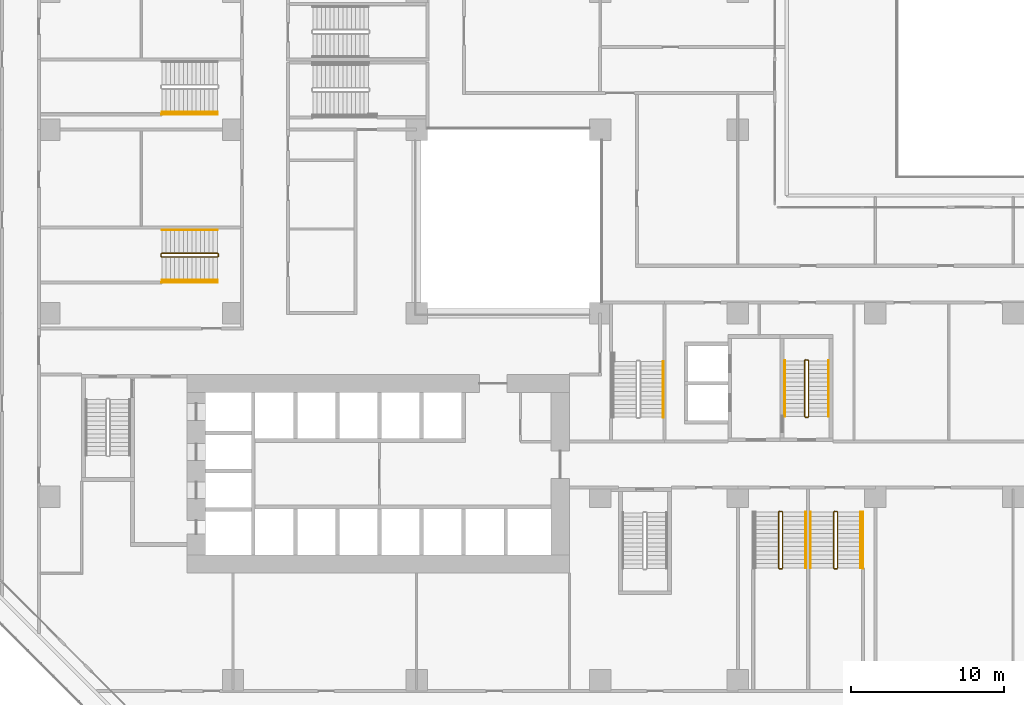
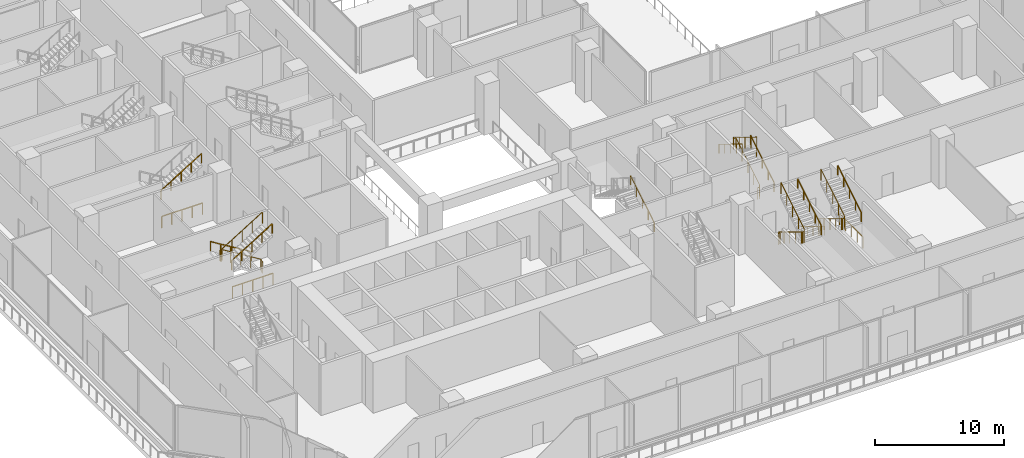
# One storey, part 22 of 25: 16 railings.
"""IFC4 building model written with IfcOpenShell, lengths in metres."""

from ifc_helpers import new_model, si_unit, direction, frame, origin, origin_2d, place, context, subcontext, project, spatial, rectangle, extrude, material, type_object, element, save


model = new_model("IFC4")

# Units and contexts
model_context = context("Model", 3, precision=1e-05, world=origin(), true_north=direction((0.0, 1.0)))
body_context = subcontext(model_context, "Body", "Model", "MODEL_VIEW")
ifc_project = project(units=[si_unit("LENGTHUNIT", "METRE"), si_unit("AREAUNIT", "SQUARE_METRE"), si_unit("VOLUMEUNIT", "CUBIC_METRE"), si_unit("PLANEANGLEUNIT", "RADIAN"), si_unit("MASSUNIT", "GRAM", prefix="KILO")], contexts=[model_context])

# Site, building, storey
site_placement = place(None, origin())
site = spatial("IfcSite", under=ifc_project, at=site_placement, CompositionType="ELEMENT")
building_placement = place(site_placement, origin())
building = spatial("IfcBuilding", under=site, at=building_placement, Name="Chenar Terraces", CompositionType="ELEMENT")
storey_placement = place(building_placement, frame((0.0, 0.0, 21.60009765625)))
storey = spatial("IfcBuildingStorey", under=building, at=storey_placement, Name="L04", CompositionType="ELEMENT", Elevation=21.60009765625)

# Railings
ifc_material_1 = material(Name="Powder-coated steel", Category="steel")
railing_type_1 = type_object("IfcRailingType", Name="Stair guard 1100", PredefinedType="GUARDRAIL", material=ifc_material_1)
railing_1_placement = place(storey_placement, frame((49.375, 17.25, 4.7998046875)))
element("IfcRailing", 1, at=railing_1_placement, inside=storey, type_object=railing_type_1, Name="L04 ST3 stair guard 1", PredefinedType="GUARDRAIL", context=body_context, shape_type="SweptSolid", body=[
    extrude(rectangle(XDim=0.048095703125, YDim=0.048095703125, at=origin_2d()), frame((0.0, 0.0, 1.076171875), z_axis=(0.0, 0.852850264322, -0.5221555579), x_axis=(-1.0, 0.0, 0.0)), (0.0, 0.0, 1.0), 4.267822265625),
    extrude(rectangle(XDim=0.048095703125, YDim=0.048095703125, at=origin_2d()), frame((0.0, 3.639892578125, -1.15234375), z_axis=(0.269911200495, 0.269911200495, -0.924281281696), x_axis=(-0.707106781187, 0.707106781187, 0.0)), (0.0, 0.0, 1.0), 0.185546875),
    extrude(rectangle(XDim=0.048095703125, YDim=0.048095703125, at=origin_2d()), frame((0.050048828125, 3.68994140625, -1.32373046875), z_axis=(1.0, 0.0, 0.0), x_axis=(0.0, 1.0, 0.0)), (0.0, 0.0, 1.0), 0.14990234375),
    extrude(rectangle(XDim=0.048095703125, YDim=0.048095703125, at=origin_2d()), frame((0.199951171875, 3.68994140625, -1.32373046875), z_axis=(0.707106781187, -0.707106781187, 0.0), x_axis=(0.707106781187, 0.707106781187, 0.0)), (0.0, 0.0, 1.0), 0.07080078125),
    extrude(rectangle(XDim=0.048095703125, YDim=0.048095703125, at=origin_2d()), frame((0.25, 3.639892578125, -1.32373046875), z_axis=(0.0, -0.852850264322, -0.5221555579), x_axis=(1.0, 0.0, 0.0)), (0.0, 0.0, 1.0), 4.267822265625),
    extrude(rectangle(XDim=0.048095703125, YDim=0.048095703125, at=origin_2d()), frame((0.25, 0.0, -3.55224609375), z_axis=(-0.269911200495, -0.269911200495, -0.924281281696), x_axis=(0.707106781187, -0.707106781187, 0.0)), (0.0, 0.0, 1.0), 0.185546875),
    extrude(rectangle(XDim=0.048095703125, YDim=0.048095703125, at=origin_2d()), frame((0.199951171875, -0.050048828125, -3.7236328125), z_axis=(-1.0, 0.0, 0.0), x_axis=(0.0, -1.0, 0.0)), (0.0, 0.0, 1.0), 0.14990234375),
    extrude(rectangle(XDim=0.0419921875, YDim=0.0419921875, at=origin_2d()), origin(), (0.0, 0.0, 1.0), 1.052001953125),
    extrude(rectangle(XDim=0.0419921875, YDim=0.0419921875, at=origin_2d()), frame((0.0, 0.909912109375, -0.55712890625)), (0.0, 0.0, 1.0), 1.052001953125),
    extrude(rectangle(XDim=0.0419921875, YDim=0.0419921875, at=origin_2d()), frame((0.0, 1.81982421875, -1.1142578125)), (0.0, 0.0, 1.0), 1.052001953125),
    extrude(rectangle(XDim=0.0419921875, YDim=0.0419921875, at=origin_2d()), frame((0.0, 2.72998046875, -1.67138671875)), (0.0, 0.0, 1.0), 1.052001953125),
    extrude(rectangle(XDim=0.0419921875, YDim=0.0419921875, at=origin_2d()), frame((0.0, 3.639892578125, -2.228515625)), (0.0, 0.0, 1.0), 1.052001953125),
    extrude(rectangle(XDim=0.0419921875, YDim=0.0419921875, at=origin_2d()), frame((0.050048828125, 3.68994140625, -2.39990234375)), (0.0, 0.0, 1.0), 1.052001953125),
    extrude(rectangle(XDim=0.0419921875, YDim=0.0419921875, at=origin_2d()), frame((0.199951171875, 3.68994140625, -2.39990234375)), (0.0, 0.0, 1.0), 1.052001953125),
    extrude(rectangle(XDim=0.0419921875, YDim=0.0419921875, at=origin_2d()), frame((0.25, 3.639892578125, -2.39990234375)), (0.0, 0.0, 1.0), 1.052001953125),
    extrude(rectangle(XDim=0.0419921875, YDim=0.0419921875, at=origin_2d()), frame((0.25, 2.72998046875, -2.95703125)), (0.0, 0.0, 1.0), 1.052001953125),
    extrude(rectangle(XDim=0.0419921875, YDim=0.0419921875, at=origin_2d()), frame((0.25, 1.81982421875, -3.51416015625)), (0.0, 0.0, 1.0), 1.052001953125),
    extrude(rectangle(XDim=0.0419921875, YDim=0.0419921875, at=origin_2d()), frame((0.25, 0.909912109375, -4.0712890625)), (0.0, 0.0, 1.0), 1.052001953125),
    extrude(rectangle(XDim=0.0419921875, YDim=0.0419921875, at=origin_2d()), frame((0.25, 0.0, -4.62841796875)), (0.0, 0.0, 1.0), 1.052001953125),
    extrude(rectangle(XDim=0.0419921875, YDim=0.0419921875, at=origin_2d()), frame((0.199951171875, -0.050048828125, -4.7998046875)), (0.0, 0.0, 1.0), 1.052001953125),
    extrude(rectangle(XDim=0.0419921875, YDim=0.0419921875, at=origin_2d()), frame((0.050048828125, -0.050048828125, -4.7998046875)), (0.0, 0.0, 1.0), 1.052001953125),
])
railing_2_placement = place(storey_placement, frame((51.52490234375, 10.985107421875, 4.7998046875)))
element("IfcRailing", 2, at=railing_2_placement, inside=storey, type_object=railing_type_1, Name="L04 PS2 stair guard 1", PredefinedType="GUARDRAIL", context=body_context, shape_type="SweptSolid", body=[
    extrude(rectangle(XDim=0.048095703125, YDim=0.048095703125, at=origin_2d()), frame((0.0, 0.0, 1.076171875), z_axis=(0.0, -0.852865859571, -0.52213008492), x_axis=(1.0, 0.0, 0.0)), (0.0, 0.0, 1.0), 4.26806640625),
    extrude(rectangle(XDim=0.048095703125, YDim=0.048095703125, at=origin_2d()), frame((0.0, -3.64013671875, -1.15234375), z_axis=(-0.268689830376, -0.270006937388, -0.924609122178), x_axis=(0.708833529934, -0.705375805398, 0.0)), (0.0, 0.0, 1.0), 0.185302734375),
    extrude(rectangle(XDim=0.048095703125, YDim=0.048095703125, at=origin_2d()), frame((-0.0498046875, -3.690185546875, -1.32373046875), z_axis=(-1.0, 0.0, 0.0), x_axis=(0.0, -1.0, 0.0)), (0.0, 0.0, 1.0), 0.150146484375),
    extrude(rectangle(XDim=0.048095703125, YDim=0.048095703125, at=origin_2d()), frame((-0.199951171875, -3.690185546875, -1.32373046875), z_axis=(-0.707106781187, 0.707106781187, 0.0), x_axis=(-0.707106781187, -0.707106781187, 0.0)), (0.0, 0.0, 1.0), 0.07080078125),
    extrude(rectangle(XDim=0.048095703125, YDim=0.048095703125, at=origin_2d()), frame((-0.25, -3.64013671875, -1.32373046875), z_axis=(0.0, 0.852865859571, -0.52213008492), x_axis=(-1.0, 0.0, 0.0)), (0.0, 0.0, 1.0), 4.26806640625),
    extrude(rectangle(XDim=0.048095703125, YDim=0.048095703125, at=origin_2d()), frame((-0.25, 0.0, -3.55224609375), z_axis=(0.270006937388, 0.268689830376, -0.924609122178), x_axis=(-0.705375805398, 0.708833529934, 0.0)), (0.0, 0.0, 1.0), 0.185302734375),
    extrude(rectangle(XDim=0.048095703125, YDim=0.048095703125, at=origin_2d()), frame((-0.199951171875, 0.0498046875, -3.7236328125), z_axis=(1.0, 0.0, 0.0), x_axis=(0.0, 1.0, 0.0)), (0.0, 0.0, 1.0), 0.150146484375),
    extrude(rectangle(XDim=0.0419921875, YDim=0.0419921875, at=origin_2d()), origin(), (0.0, 0.0, 1.0), 1.052001953125),
    extrude(rectangle(XDim=0.0419921875, YDim=0.0419921875, at=origin_2d()), frame((0.0, -0.91015625, -0.55712890625)), (0.0, 0.0, 1.0), 1.052001953125),
    extrude(rectangle(XDim=0.0419921875, YDim=0.0419921875, at=origin_2d()), frame((0.0, -1.820068359375, -1.1142578125)), (0.0, 0.0, 1.0), 1.052001953125),
    extrude(rectangle(XDim=0.0419921875, YDim=0.0419921875, at=origin_2d()), frame((0.0, -2.72998046875, -1.67138671875)), (0.0, 0.0, 1.0), 1.052001953125),
    extrude(rectangle(XDim=0.0419921875, YDim=0.0419921875, at=origin_2d()), frame((0.0, -3.64013671875, -2.228515625)), (0.0, 0.0, 1.0), 1.052001953125),
    extrude(rectangle(XDim=0.0419921875, YDim=0.0419921875, at=origin_2d()), frame((-0.0498046875, -3.690185546875, -2.39990234375)), (0.0, 0.0, 1.0), 1.052001953125),
    extrude(rectangle(XDim=0.0419921875, YDim=0.0419921875, at=origin_2d()), frame((-0.199951171875, -3.690185546875, -2.39990234375)), (0.0, 0.0, 1.0), 1.052001953125),
    extrude(rectangle(XDim=0.0419921875, YDim=0.0419921875, at=origin_2d()), frame((-0.25, -3.64013671875, -2.39990234375)), (0.0, 0.0, 1.0), 1.052001953125),
    extrude(rectangle(XDim=0.0419921875, YDim=0.0419921875, at=origin_2d()), frame((-0.25, -2.72998046875, -2.95703125)), (0.0, 0.0, 1.0), 1.052001953125),
    extrude(rectangle(XDim=0.0419921875, YDim=0.0419921875, at=origin_2d()), frame((-0.25, -1.820068359375, -3.51416015625)), (0.0, 0.0, 1.0), 1.052001953125),
    extrude(rectangle(XDim=0.0419921875, YDim=0.0419921875, at=origin_2d()), frame((-0.25, -0.91015625, -4.0712890625)), (0.0, 0.0, 1.0), 1.052001953125),
    extrude(rectangle(XDim=0.0419921875, YDim=0.0419921875, at=origin_2d()), frame((-0.25, 0.0, -4.62841796875)), (0.0, 0.0, 1.0), 1.052001953125),
    extrude(rectangle(XDim=0.0419921875, YDim=0.0419921875, at=origin_2d()), frame((-0.199951171875, 0.0498046875, -4.7998046875)), (0.0, 0.0, 1.0), 1.052001953125),
    extrude(rectangle(XDim=0.0419921875, YDim=0.0419921875, at=origin_2d()), frame((-0.0498046875, 0.0498046875, -4.7998046875)), (0.0, 0.0, 1.0), 1.052001953125),
])
railing_3_placement = place(storey_placement, frame((10.985107421875, 27.675048828125, 4.7998046875)))
element("IfcRailing", 3, at=railing_3_placement, inside=storey, type_object=railing_type_1, Name="L04 PS5 stair guard 1", PredefinedType="GUARDRAIL", context=body_context, shape_type="SweptSolid", body=[
    extrude(rectangle(XDim=0.048095703125, YDim=0.048095703125, at=origin_2d()), frame((0.0, 0.0, 1.076171875), z_axis=(-0.852865859571, 0.0, -0.52213008492), x_axis=(0.0, -1.0, 0.0)), (0.0, 0.0, 1.0), 4.26806640625),
    extrude(rectangle(XDim=0.048095703125, YDim=0.048095703125, at=origin_2d()), frame((-3.64013671875, 0.0, -1.15234375), z_axis=(-0.269911200495, 0.269911200495, -0.924281281696), x_axis=(-0.707106781187, -0.707106781187, 0.0)), (0.0, 0.0, 1.0), 0.185546875),
    extrude(rectangle(XDim=0.048095703125, YDim=0.048095703125, at=origin_2d()), frame((-3.690185546875, 0.050048828125, -1.32373046875), z_axis=(0.0, 1.0, 0.0), x_axis=(-1.0, 0.0, 0.0)), (0.0, 0.0, 1.0), 0.14990234375),
    extrude(rectangle(XDim=0.048095703125, YDim=0.048095703125, at=origin_2d()), frame((-3.690185546875, 0.199951171875, -1.32373046875), z_axis=(0.707106781187, 0.707106781187, 0.0), x_axis=(-0.707106781187, 0.707106781187, 0.0)), (0.0, 0.0, 1.0), 0.07080078125),
    extrude(rectangle(XDim=0.048095703125, YDim=0.048095703125, at=origin_2d()), frame((-3.64013671875, 0.25, -1.32373046875), z_axis=(0.852865859571, 0.0, -0.52213008492), x_axis=(0.0, 1.0, 0.0)), (0.0, 0.0, 1.0), 4.26806640625),
    extrude(rectangle(XDim=0.048095703125, YDim=0.048095703125, at=origin_2d()), frame((0.0, 0.25, -3.55224609375), z_axis=(0.268689830376, -0.270006937388, -0.924609122178), x_axis=(0.708833529934, 0.705375805398, 0.0)), (0.0, 0.0, 1.0), 0.185302734375),
    extrude(rectangle(XDim=0.048095703125, YDim=0.048095703125, at=origin_2d()), frame((0.0498046875, 0.199951171875, -3.7236328125), z_axis=(0.0, -1.0, 0.0), x_axis=(1.0, 0.0, 0.0)), (0.0, 0.0, 1.0), 0.14990234375),
    extrude(rectangle(XDim=0.0419921875, YDim=0.0419921875, at=origin_2d()), origin(), (0.0, 0.0, 1.0), 1.052001953125),
    extrude(rectangle(XDim=0.0419921875, YDim=0.0419921875, at=origin_2d()), frame((-0.91015625, 0.0, -0.55712890625)), (0.0, 0.0, 1.0), 1.052001953125),
    extrude(rectangle(XDim=0.0419921875, YDim=0.0419921875, at=origin_2d()), frame((-1.820068359375, 0.0, -1.1142578125)), (0.0, 0.0, 1.0), 1.052001953125),
    extrude(rectangle(XDim=0.0419921875, YDim=0.0419921875, at=origin_2d()), frame((-2.72998046875, 0.0, -1.67138671875)), (0.0, 0.0, 1.0), 1.052001953125),
    extrude(rectangle(XDim=0.0419921875, YDim=0.0419921875, at=origin_2d()), frame((-3.64013671875, 0.0, -2.228515625)), (0.0, 0.0, 1.0), 1.052001953125),
    extrude(rectangle(XDim=0.0419921875, YDim=0.0419921875, at=origin_2d()), frame((-3.690185546875, 0.050048828125, -2.39990234375)), (0.0, 0.0, 1.0), 1.052001953125),
    extrude(rectangle(XDim=0.0419921875, YDim=0.0419921875, at=origin_2d()), frame((-3.690185546875, 0.199951171875, -2.39990234375)), (0.0, 0.0, 1.0), 1.052001953125),
    extrude(rectangle(XDim=0.0419921875, YDim=0.0419921875, at=origin_2d()), frame((-3.64013671875, 0.25, -2.39990234375)), (0.0, 0.0, 1.0), 1.052001953125),
    extrude(rectangle(XDim=0.0419921875, YDim=0.0419921875, at=origin_2d()), frame((-2.72998046875, 0.25, -2.95703125)), (0.0, 0.0, 1.0), 1.052001953125),
    extrude(rectangle(XDim=0.0419921875, YDim=0.0419921875, at=origin_2d()), frame((-1.820068359375, 0.25, -3.51416015625)), (0.0, 0.0, 1.0), 1.052001953125),
    extrude(rectangle(XDim=0.0419921875, YDim=0.0419921875, at=origin_2d()), frame((-0.91015625, 0.25, -4.0712890625)), (0.0, 0.0, 1.0), 1.052001953125),
    extrude(rectangle(XDim=0.0419921875, YDim=0.0419921875, at=origin_2d()), frame((0.0, 0.25, -4.62841796875)), (0.0, 0.0, 1.0), 1.052001953125),
    extrude(rectangle(XDim=0.0419921875, YDim=0.0419921875, at=origin_2d()), frame((0.0498046875, 0.199951171875, -4.7998046875)), (0.0, 0.0, 1.0), 1.052001953125),
    extrude(rectangle(XDim=0.0419921875, YDim=0.0419921875, at=origin_2d()), frame((0.0498046875, 0.050048828125, -4.7998046875)), (0.0, 0.0, 1.0), 1.052001953125),
])
railing_4_placement = place(storey_placement, frame((47.925048828125, 10.985107421875, 4.7998046875)))
element("IfcRailing", 4, at=railing_4_placement, inside=storey, type_object=railing_type_1, Name="L04 PS6 stair guard 1", PredefinedType="GUARDRAIL", context=body_context, shape_type="SweptSolid", body=[
    extrude(rectangle(XDim=0.048095703125, YDim=0.048095703125, at=origin_2d()), frame((0.0, 0.0, 1.076171875), z_axis=(0.0, -0.852865859571, -0.52213008492), x_axis=(1.0, 0.0, 0.0)), (0.0, 0.0, 1.0), 4.26806640625),
    extrude(rectangle(XDim=0.048095703125, YDim=0.048095703125, at=origin_2d()), frame((0.0, -3.64013671875, -1.15234375), z_axis=(-0.269911200495, -0.269911200495, -0.924281281696), x_axis=(0.707106781187, -0.707106781187, 0.0)), (0.0, 0.0, 1.0), 0.185546875),
    extrude(rectangle(XDim=0.048095703125, YDim=0.048095703125, at=origin_2d()), frame((-0.050048828125, -3.690185546875, -1.32373046875), z_axis=(-1.0, 0.0, 0.0), x_axis=(0.0, -1.0, 0.0)), (0.0, 0.0, 1.0), 0.14990234375),
    extrude(rectangle(XDim=0.048095703125, YDim=0.048095703125, at=origin_2d()), frame((-0.199951171875, -3.690185546875, -1.32373046875), z_axis=(-0.707106781187, 0.707106781187, 0.0), x_axis=(-0.707106781187, -0.707106781187, 0.0)), (0.0, 0.0, 1.0), 0.07080078125),
    extrude(rectangle(XDim=0.048095703125, YDim=0.048095703125, at=origin_2d()), frame((-0.25, -3.64013671875, -1.32373046875), z_axis=(0.0, 0.852865859571, -0.52213008492), x_axis=(-1.0, 0.0, 0.0)), (0.0, 0.0, 1.0), 4.26806640625),
    extrude(rectangle(XDim=0.048095703125, YDim=0.048095703125, at=origin_2d()), frame((-0.25, 0.0, -3.55224609375), z_axis=(0.270006937388, 0.268689830376, -0.924609122178), x_axis=(-0.705375805398, 0.708833529934, 0.0)), (0.0, 0.0, 1.0), 0.185302734375),
    extrude(rectangle(XDim=0.048095703125, YDim=0.048095703125, at=origin_2d()), frame((-0.199951171875, 0.0498046875, -3.7236328125), z_axis=(1.0, 0.0, 0.0), x_axis=(0.0, 1.0, 0.0)), (0.0, 0.0, 1.0), 0.14990234375),
    extrude(rectangle(XDim=0.0419921875, YDim=0.0419921875, at=origin_2d()), origin(), (0.0, 0.0, 1.0), 1.052001953125),
    extrude(rectangle(XDim=0.0419921875, YDim=0.0419921875, at=origin_2d()), frame((0.0, -0.91015625, -0.55712890625)), (0.0, 0.0, 1.0), 1.052001953125),
    extrude(rectangle(XDim=0.0419921875, YDim=0.0419921875, at=origin_2d()), frame((0.0, -1.820068359375, -1.1142578125)), (0.0, 0.0, 1.0), 1.052001953125),
    extrude(rectangle(XDim=0.0419921875, YDim=0.0419921875, at=origin_2d()), frame((0.0, -2.72998046875, -1.67138671875)), (0.0, 0.0, 1.0), 1.052001953125),
    extrude(rectangle(XDim=0.0419921875, YDim=0.0419921875, at=origin_2d()), frame((0.0, -3.64013671875, -2.228515625)), (0.0, 0.0, 1.0), 1.052001953125),
    extrude(rectangle(XDim=0.0419921875, YDim=0.0419921875, at=origin_2d()), frame((-0.050048828125, -3.690185546875, -2.39990234375)), (0.0, 0.0, 1.0), 1.052001953125),
    extrude(rectangle(XDim=0.0419921875, YDim=0.0419921875, at=origin_2d()), frame((-0.199951171875, -3.690185546875, -2.39990234375)), (0.0, 0.0, 1.0), 1.052001953125),
    extrude(rectangle(XDim=0.0419921875, YDim=0.0419921875, at=origin_2d()), frame((-0.25, -3.64013671875, -2.39990234375)), (0.0, 0.0, 1.0), 1.052001953125),
    extrude(rectangle(XDim=0.0419921875, YDim=0.0419921875, at=origin_2d()), frame((-0.25, -2.72998046875, -2.95703125)), (0.0, 0.0, 1.0), 1.052001953125),
    extrude(rectangle(XDim=0.0419921875, YDim=0.0419921875, at=origin_2d()), frame((-0.25, -1.820068359375, -3.51416015625)), (0.0, 0.0, 1.0), 1.052001953125),
    extrude(rectangle(XDim=0.0419921875, YDim=0.0419921875, at=origin_2d()), frame((-0.25, -0.91015625, -4.0712890625)), (0.0, 0.0, 1.0), 1.052001953125),
    extrude(rectangle(XDim=0.0419921875, YDim=0.0419921875, at=origin_2d()), frame((-0.25, 0.0, -4.62841796875)), (0.0, 0.0, 1.0), 1.052001953125),
    extrude(rectangle(XDim=0.0419921875, YDim=0.0419921875, at=origin_2d()), frame((-0.199951171875, 0.0498046875, -4.7998046875)), (0.0, 0.0, 1.0), 1.052001953125),
    extrude(rectangle(XDim=0.0419921875, YDim=0.0419921875, at=origin_2d()), frame((-0.050048828125, 0.0498046875, -4.7998046875)), (0.0, 0.0, 1.0), 1.052001953125),
])
railing_5_placement = place(storey_placement, frame((53.18994140625, 7.32421875, 0.0)))
element("IfcRailing", 5, at=railing_5_placement, inside=storey, type_object=railing_type_1, Name="L04 PS2 stair guard 101", PredefinedType="GUARDRAIL", context=body_context, shape_type="SweptSolid", body=[
    extrude(rectangle(XDim=0.048095703125, YDim=0.048095703125, at=origin_2d()), frame((0.0, 0.0, 1.076171875), z_axis=(0.0, 1.0, 0.0), x_axis=(-1.0, 0.0, 0.0)), (0.0, 0.0, 1.0), 3.660888671875),
    extrude(rectangle(XDim=0.0419921875, YDim=0.0419921875, at=origin_2d()), origin(), (0.0, 0.0, 1.0), 1.052001953125),
    extrude(rectangle(XDim=0.0419921875, YDim=0.0419921875, at=origin_2d()), frame((0.0, 0.915283203125, 0.0)), (0.0, 0.0, 1.0), 1.052001953125),
    extrude(rectangle(XDim=0.0419921875, YDim=0.0419921875, at=origin_2d()), frame((0.0, 1.83056640625, 0.0)), (0.0, 0.0, 1.0), 1.052001953125),
    extrude(rectangle(XDim=0.0419921875, YDim=0.0419921875, at=origin_2d()), frame((0.0, 2.74560546875, 0.0)), (0.0, 0.0, 1.0), 1.052001953125),
    extrude(rectangle(XDim=0.0419921875, YDim=0.0419921875, at=origin_2d()), frame((0.0, 3.660888671875, 0.0)), (0.0, 0.0, 1.0), 1.052001953125),
])
for number, where, name in (
    (6, (7.32421875, 26.010009765625, 0.0), "L04 PS5 stair guard 101"),
    (7, (7.32421875, 37.010009765625, 0.0), "L04 PS9 stair guard 101"),
):
    element("IfcRailing", number, at=place(storey_placement, frame(where)), inside=storey, type_object=railing_type_1, Name=name, PredefinedType="GUARDRAIL", context=body_context, shape_type="SweptSolid", body=[
        extrude(rectangle(XDim=0.048095703125, YDim=0.048095703125, at=origin_2d()), frame((0.0, 0.0, 1.076171875), z_axis=(1.0, 0.0, 0.0), x_axis=(0.0, 1.0, 0.0)), (0.0, 0.0, 1.0), 3.660888671875),
        extrude(rectangle(XDim=0.0419921875, YDim=0.0419921875, at=origin_2d()), origin(), (0.0, 0.0, 1.0), 1.052001953125),
        extrude(rectangle(XDim=0.0419921875, YDim=0.0419921875, at=origin_2d()), frame((0.915283203125, 0.0, 0.0)), (0.0, 0.0, 1.0), 1.052001953125),
        extrude(rectangle(XDim=0.0419921875, YDim=0.0419921875, at=origin_2d()), frame((1.83056640625, 0.0, 0.0)), (0.0, 0.0, 1.0), 1.052001953125),
        extrude(rectangle(XDim=0.0419921875, YDim=0.0419921875, at=origin_2d()), frame((2.74560546875, 0.0, 0.0)), (0.0, 0.0, 1.0), 1.052001953125),
        extrude(rectangle(XDim=0.0419921875, YDim=0.0419921875, at=origin_2d()), frame((3.660888671875, 0.0, 0.0)), (0.0, 0.0, 1.0), 1.052001953125),
    ])
ifc_material_2 = material(Name="Powder-coated steel", Category="steel")
railing_type_2 = type_object("IfcRailingType", Name="Stair handrail 900", PredefinedType="HANDRAIL", material=ifc_material_2)
railing_6_placement = place(storey_placement, frame((50.925048828125, 17.25, 0.17138671875)))
element("IfcRailing", 8, at=railing_6_placement, inside=storey, type_object=railing_type_2, Name="L04 ST3 stair handrail 1", PredefinedType="HANDRAIL", context=body_context, shape_type="SweptSolid", body=[
    extrude(rectangle(XDim=0.048095703125, YDim=0.048095703125, at=origin_2d()), frame((0.0, 0.0, 0.8759765625), z_axis=(0.0, 0.852850264322, 0.5221555579), x_axis=(-1.0, 0.0, 0.0)), (0.0, 0.0, 1.0), 4.267822265625),
    extrude(rectangle(XDim=0.0419921875, YDim=0.0419921875, at=origin_2d()), origin(), (0.0, 0.0, 1.0), 0.851806640625),
    extrude(rectangle(XDim=0.0419921875, YDim=0.0419921875, at=origin_2d()), frame((0.0, 0.909912109375, 0.55712890625)), (0.0, 0.0, 1.0), 0.851806640625),
    extrude(rectangle(XDim=0.0419921875, YDim=0.0419921875, at=origin_2d()), frame((0.0, 1.81982421875, 1.1142578125)), (0.0, 0.0, 1.0), 0.851806640625),
    extrude(rectangle(XDim=0.0419921875, YDim=0.0419921875, at=origin_2d()), frame((0.0, 2.72998046875, 1.67138671875)), (0.0, 0.0, 1.0), 0.851806640625),
    extrude(rectangle(XDim=0.0419921875, YDim=0.0419921875, at=origin_2d()), frame((0.0, 3.639892578125, 2.228515625)), (0.0, 0.0, 1.0), 0.851806640625),
])
railing_7_placement = place(storey_placement, frame((48.074951171875, 20.889892578125, 2.5712890625)))
element("IfcRailing", 9, at=railing_7_placement, inside=storey, type_object=railing_type_2, Name="L04 ST3 stair handrail 2", PredefinedType="HANDRAIL", context=body_context, shape_type="SweptSolid", body=[
    extrude(rectangle(XDim=0.048095703125, YDim=0.048095703125, at=origin_2d()), frame((0.0, 0.0, 0.8759765625), z_axis=(0.0, -0.852850264322, 0.5221555579), x_axis=(1.0, 0.0, 0.0)), (0.0, 0.0, 1.0), 4.267822265625),
    extrude(rectangle(XDim=0.0419921875, YDim=0.0419921875, at=origin_2d()), origin(), (0.0, 0.0, 1.0), 0.851806640625),
    extrude(rectangle(XDim=0.0419921875, YDim=0.0419921875, at=origin_2d()), frame((0.0, -0.909912109375, 0.55712890625)), (0.0, 0.0, 1.0), 0.851806640625),
    extrude(rectangle(XDim=0.0419921875, YDim=0.0419921875, at=origin_2d()), frame((0.0, -1.81982421875, 1.1142578125)), (0.0, 0.0, 1.0), 0.851806640625),
    extrude(rectangle(XDim=0.0419921875, YDim=0.0419921875, at=origin_2d()), frame((0.0, -2.72998046875, 1.67138671875)), (0.0, 0.0, 1.0), 0.851806640625),
    extrude(rectangle(XDim=0.0419921875, YDim=0.0419921875, at=origin_2d()), frame((0.0, -3.639892578125, 2.228515625)), (0.0, 0.0, 1.0), 0.851806640625),
])
railing_8_placement = place(storey_placement, frame((40.125, 17.199951171875, 0.17138671875)))
element("IfcRailing", 10, at=railing_8_placement, inside=storey, type_object=railing_type_2, Name="L04 PS1 stair handrail 1", PredefinedType="HANDRAIL", context=body_context, shape_type="SweptSolid", body=[
    extrude(rectangle(XDim=0.048095703125, YDim=0.048095703125, at=origin_2d()), frame((0.0, 0.0, 0.8759765625), z_axis=(0.0, 0.852865859571, 0.52213008492), x_axis=(-1.0, 0.0, 0.0)), (0.0, 0.0, 1.0), 4.26806640625),
    extrude(rectangle(XDim=0.0419921875, YDim=0.0419921875, at=origin_2d()), origin(), (0.0, 0.0, 1.0), 0.851806640625),
    extrude(rectangle(XDim=0.0419921875, YDim=0.0419921875, at=origin_2d()), frame((0.0, 0.91015625, 0.55712890625)), (0.0, 0.0, 1.0), 0.851806640625),
    extrude(rectangle(XDim=0.0419921875, YDim=0.0419921875, at=origin_2d()), frame((0.0, 1.820068359375, 1.1142578125)), (0.0, 0.0, 1.0), 0.851806640625),
    extrude(rectangle(XDim=0.0419921875, YDim=0.0419921875, at=origin_2d()), frame((0.0, 2.72998046875, 1.67138671875)), (0.0, 0.0, 1.0), 0.851806640625),
    extrude(rectangle(XDim=0.0419921875, YDim=0.0419921875, at=origin_2d()), frame((0.0, 3.64013671875, 2.228515625)), (0.0, 0.0, 1.0), 0.851806640625),
])
railing_9_placement = place(storey_placement, frame((49.760009765625, 10.985107421875, 0.17138671875)))
element("IfcRailing", 11, at=railing_9_placement, inside=storey, type_object=railing_type_2, Name="L04 PS2 stair handrail 1", PredefinedType="HANDRAIL", context=body_context, shape_type="SweptSolid", body=[
    extrude(rectangle(XDim=0.048095703125, YDim=0.048095703125, at=origin_2d()), frame((0.0, 0.0, 0.8759765625), z_axis=(0.0, -0.852865859571, 0.52213008492), x_axis=(1.0, 0.0, 0.0)), (0.0, 0.0, 1.0), 4.26806640625),
    extrude(rectangle(XDim=0.0419921875, YDim=0.0419921875, at=origin_2d()), origin(), (0.0, 0.0, 1.0), 0.851806640625),
    extrude(rectangle(XDim=0.0419921875, YDim=0.0419921875, at=origin_2d()), frame((0.0, -0.91015625, 0.55712890625)), (0.0, 0.0, 1.0), 0.851806640625),
    extrude(rectangle(XDim=0.0419921875, YDim=0.0419921875, at=origin_2d()), frame((0.0, -1.820068359375, 1.1142578125)), (0.0, 0.0, 1.0), 0.851806640625),
    extrude(rectangle(XDim=0.0419921875, YDim=0.0419921875, at=origin_2d()), frame((0.0, -2.72998046875, 1.67138671875)), (0.0, 0.0, 1.0), 0.851806640625),
    extrude(rectangle(XDim=0.0419921875, YDim=0.0419921875, at=origin_2d()), frame((0.0, -3.64013671875, 2.228515625)), (0.0, 0.0, 1.0), 0.851806640625),
])
railing_10_placement = place(storey_placement, frame((53.0400390625, 7.344970703125, 2.5712890625)))
element("IfcRailing", 12, at=railing_10_placement, inside=storey, type_object=railing_type_2, Name="L04 PS2 stair handrail 2", PredefinedType="HANDRAIL", context=body_context, shape_type="SweptSolid", body=[
    extrude(rectangle(XDim=0.048095703125, YDim=0.048095703125, at=origin_2d()), frame((0.0, 0.0, 0.8759765625), z_axis=(0.0, 0.852865859571, 0.52213008492), x_axis=(-1.0, 0.0, 0.0)), (0.0, 0.0, 1.0), 4.26806640625),
    extrude(rectangle(XDim=0.0419921875, YDim=0.0419921875, at=origin_2d()), origin(), (0.0, 0.0, 1.0), 0.851806640625),
    extrude(rectangle(XDim=0.0419921875, YDim=0.0419921875, at=origin_2d()), frame((0.0, 0.91015625, 0.55712890625)), (0.0, 0.0, 1.0), 0.851806640625),
    extrude(rectangle(XDim=0.0419921875, YDim=0.0419921875, at=origin_2d()), frame((0.0, 1.820068359375, 1.1142578125)), (0.0, 0.0, 1.0), 0.851806640625),
    extrude(rectangle(XDim=0.0419921875, YDim=0.0419921875, at=origin_2d()), frame((0.0, 2.72998046875, 1.67138671875)), (0.0, 0.0, 1.0), 0.851806640625),
    extrude(rectangle(XDim=0.0419921875, YDim=0.0419921875, at=origin_2d()), frame((0.0, 3.64013671875, 2.228515625)), (0.0, 0.0, 1.0), 0.851806640625),
])
railing_11_placement = place(storey_placement, frame((10.985107421875, 29.43994140625, 0.17138671875)))
element("IfcRailing", 13, at=railing_11_placement, inside=storey, type_object=railing_type_2, Name="L04 PS5 stair handrail 1", PredefinedType="HANDRAIL", context=body_context, shape_type="SweptSolid", body=[
    extrude(rectangle(XDim=0.048095703125, YDim=0.048095703125, at=origin_2d()), frame((0.0, 0.0, 0.8759765625), z_axis=(-0.852865859571, 0.0, 0.52213008492), x_axis=(0.0, -1.0, 0.0)), (0.0, 0.0, 1.0), 4.26806640625),
    extrude(rectangle(XDim=0.0419921875, YDim=0.0419921875, at=origin_2d()), origin(), (0.0, 0.0, 1.0), 0.851806640625),
    extrude(rectangle(XDim=0.0419921875, YDim=0.0419921875, at=origin_2d()), frame((-0.91015625, 0.0, 0.55712890625)), (0.0, 0.0, 1.0), 0.851806640625),
    extrude(rectangle(XDim=0.0419921875, YDim=0.0419921875, at=origin_2d()), frame((-1.820068359375, 0.0, 1.1142578125)), (0.0, 0.0, 1.0), 0.851806640625),
    extrude(rectangle(XDim=0.0419921875, YDim=0.0419921875, at=origin_2d()), frame((-2.72998046875, 0.0, 1.67138671875)), (0.0, 0.0, 1.0), 0.851806640625),
    extrude(rectangle(XDim=0.0419921875, YDim=0.0419921875, at=origin_2d()), frame((-3.64013671875, 0.0, 2.228515625)), (0.0, 0.0, 1.0), 0.851806640625),
])
railing_12_placement = place(storey_placement, frame((7.344970703125, 26.159912109375, 2.5712890625)))
element("IfcRailing", 14, at=railing_12_placement, inside=storey, type_object=railing_type_2, Name="L04 PS5 stair handrail 2", PredefinedType="HANDRAIL", context=body_context, shape_type="SweptSolid", body=[
    extrude(rectangle(XDim=0.048095703125, YDim=0.048095703125, at=origin_2d()), frame((0.0, 0.0, 0.8759765625), z_axis=(0.852865859571, 0.0, 0.52213008492), x_axis=(0.0, 1.0, 0.0)), (0.0, 0.0, 1.0), 4.26806640625),
    extrude(rectangle(XDim=0.0419921875, YDim=0.0419921875, at=origin_2d()), origin(), (0.0, 0.0, 1.0), 0.851806640625),
    extrude(rectangle(XDim=0.0419921875, YDim=0.0419921875, at=origin_2d()), frame((0.91015625, 0.0, 0.55712890625)), (0.0, 0.0, 1.0), 0.851806640625),
    extrude(rectangle(XDim=0.0419921875, YDim=0.0419921875, at=origin_2d()), frame((1.820068359375, 0.0, 1.1142578125)), (0.0, 0.0, 1.0), 0.851806640625),
    extrude(rectangle(XDim=0.0419921875, YDim=0.0419921875, at=origin_2d()), frame((2.72998046875, 0.0, 1.67138671875)), (0.0, 0.0, 1.0), 0.851806640625),
    extrude(rectangle(XDim=0.0419921875, YDim=0.0419921875, at=origin_2d()), frame((3.64013671875, 0.0, 2.228515625)), (0.0, 0.0, 1.0), 0.851806640625),
])
railing_13_placement = place(storey_placement, frame((49.43994140625, 7.344970703125, 2.5712890625)))
element("IfcRailing", 15, at=railing_13_placement, inside=storey, type_object=railing_type_2, Name="L04 PS6 stair handrail 2", PredefinedType="HANDRAIL", context=body_context, shape_type="SweptSolid", body=[
    extrude(rectangle(XDim=0.048095703125, YDim=0.048095703125, at=origin_2d()), frame((0.0, 0.0, 0.8759765625), z_axis=(0.0, 0.852865859571, 0.52213008492), x_axis=(-1.0, 0.0, 0.0)), (0.0, 0.0, 1.0), 4.26806640625),
    extrude(rectangle(XDim=0.0419921875, YDim=0.0419921875, at=origin_2d()), origin(), (0.0, 0.0, 1.0), 0.851806640625),
    extrude(rectangle(XDim=0.0419921875, YDim=0.0419921875, at=origin_2d()), frame((0.0, 0.91015625, 0.55712890625)), (0.0, 0.0, 1.0), 0.851806640625),
    extrude(rectangle(XDim=0.0419921875, YDim=0.0419921875, at=origin_2d()), frame((0.0, 1.820068359375, 1.1142578125)), (0.0, 0.0, 1.0), 0.851806640625),
    extrude(rectangle(XDim=0.0419921875, YDim=0.0419921875, at=origin_2d()), frame((0.0, 2.72998046875, 1.67138671875)), (0.0, 0.0, 1.0), 0.851806640625),
    extrude(rectangle(XDim=0.0419921875, YDim=0.0419921875, at=origin_2d()), frame((0.0, 3.64013671875, 2.228515625)), (0.0, 0.0, 1.0), 0.851806640625),
])
railing_14_placement = place(storey_placement, frame((7.344970703125, 37.159912109375, 2.5712890625)))
element("IfcRailing", 16, at=railing_14_placement, inside=storey, type_object=railing_type_2, Name="L04 PS9 stair handrail 2", PredefinedType="HANDRAIL", context=body_context, shape_type="SweptSolid", body=[
    extrude(rectangle(XDim=0.048095703125, YDim=0.048095703125, at=origin_2d()), frame((0.0, 0.0, 0.8759765625), z_axis=(0.852865859571, 0.0, 0.52213008492), x_axis=(0.0, 1.0, 0.0)), (0.0, 0.0, 1.0), 4.26806640625),
    extrude(rectangle(XDim=0.0419921875, YDim=0.0419921875, at=origin_2d()), origin(), (0.0, 0.0, 1.0), 0.851806640625),
    extrude(rectangle(XDim=0.0419921875, YDim=0.0419921875, at=origin_2d()), frame((0.91015625, 0.0, 0.55712890625)), (0.0, 0.0, 1.0), 0.851806640625),
    extrude(rectangle(XDim=0.0419921875, YDim=0.0419921875, at=origin_2d()), frame((1.820068359375, 0.0, 1.1142578125)), (0.0, 0.0, 1.0), 0.851806640625),
    extrude(rectangle(XDim=0.0419921875, YDim=0.0419921875, at=origin_2d()), frame((2.72998046875, 0.0, 1.67138671875)), (0.0, 0.0, 1.0), 0.851806640625),
    extrude(rectangle(XDim=0.0419921875, YDim=0.0419921875, at=origin_2d()), frame((3.64013671875, 0.0, 2.228515625)), (0.0, 0.0, 1.0), 0.851806640625),
])

save(model, "model.ifc")
